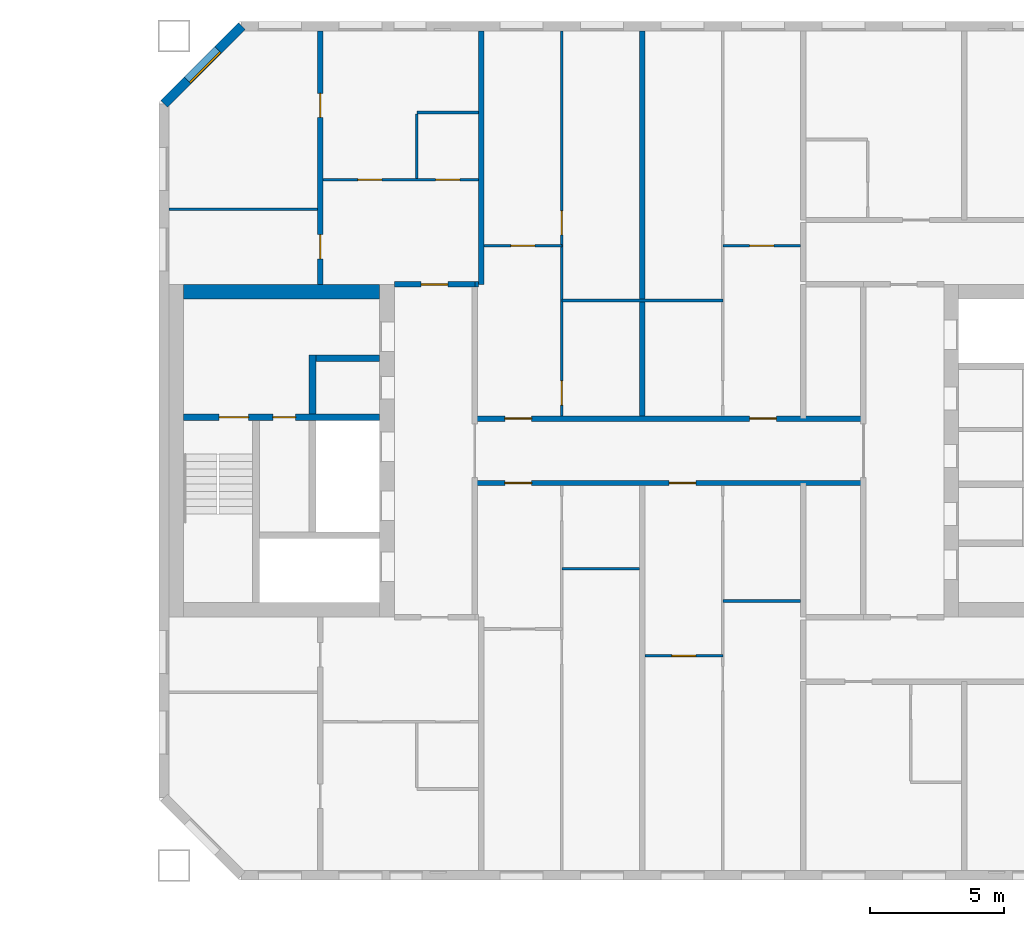
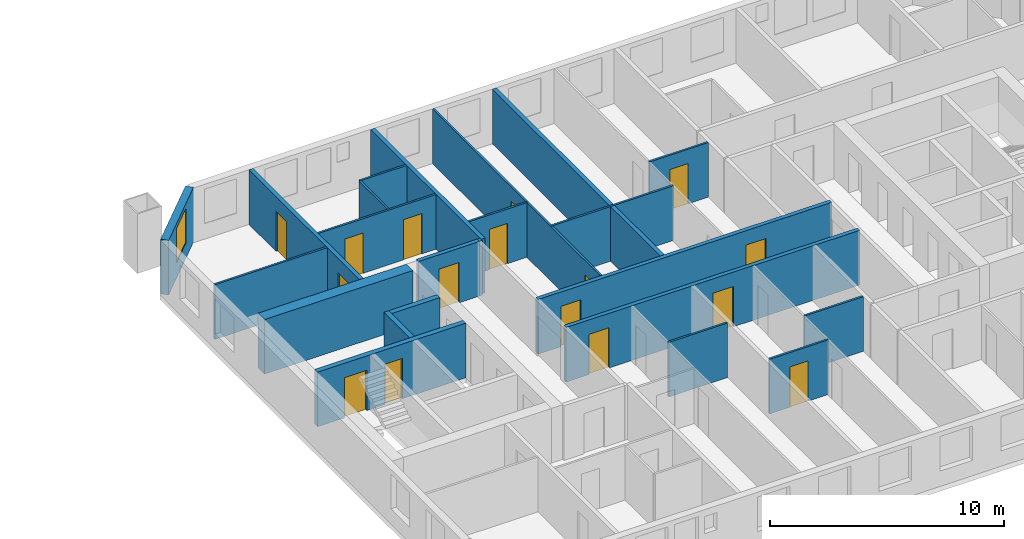
# One storey, part 11 of 16: 23 walls, 16 doors, 1 window, 17 openings.
"""IFC4 building model written with IfcOpenShell, lengths in metres."""

import ifcopenshell
import ifcopenshell.guid

model = None  # the IFC model being written
_history = None  # IfcOwnerHistory: only IFC2X3 demands one
_inside = {}  # id of a spatial element -> (the spatial element, [elements in it])
_under = {}  # id of a project, library or spatial element -> (it, [spatial elements below it])
_declared = {}  # id of a project -> (the project, [libraries it declares])
_typed = {}  # id of a type object -> (the type object, [elements of that type])
_made_of = {}  # id of a material, layer set ... -> (it, [elements and type objects made of it])


def new_model(schema):
    """Start an empty IFC model of exactly this schema.

    Asked for "IFC4X3", IfcOpenShell would pick the latest addendum, in which some entities
    have other attributes; the version numbers below select the first issue.
    IFC2X3 requires an IfcOwnerHistory on every rooted entity: one is made here for all.
    """
    global model, _history
    if schema == "IFC4X3":
        model = ifcopenshell.file(schema_version=(4, 3, 0, 0))
    else:
        model = ifcopenshell.file(schema=schema)
    _inside.clear()
    _under.clear()
    _declared.clear()
    _typed.clear()
    _made_of.clear()
    _history = None
    if model.schema == "IFC2X3":
        org = make("IfcOrganization", Name="unknown")
        user = make(
            "IfcPersonAndOrganization",
            ThePerson=make("IfcPerson", FamilyName="unknown"),
            TheOrganization=org,
        )
        app = make(
            "IfcApplication",
            ApplicationDeveloper=org,
            Version="unknown",
            ApplicationFullName="unknown",
            ApplicationIdentifier="unknown",
        )
        _history = make(
            "IfcOwnerHistory",
            OwningUser=user,
            OwningApplication=app,
            ChangeAction="ADDED",
            CreationDate=0,
        )
    return model


def make(cls, **values):
    """One entity of the class cls with the attributes given. An attribute that is None is left unset."""
    return model.create_entity(
        cls, **{name: value for name, value in values.items() if value is not None}
    )


def rooted(cls, **values):
    """An entity with a GlobalId (a new one), such as an element, a storey or a relation."""
    return make(cls, GlobalId=ifcopenshell.guid.new(), OwnerHistory=_history, **values)


def si_unit(unit_type, name, prefix=None):
    """IfcSIUnit, for example si_unit("LENGTHUNIT", "METRE", prefix="MILLI")."""
    return make("IfcSIUnit", UnitType=unit_type, Prefix=prefix, Name=name)


def assignment(units):
    """IfcUnitAssignment: the units of a project."""
    return None if units is None else make("IfcUnitAssignment", Units=units)


def point(xyz):
    """IfcCartesianPoint."""
    return None if xyz is None else make("IfcCartesianPoint", Coordinates=xyz)


def direction(xyz):
    """IfcDirection."""
    return None if xyz is None else make("IfcDirection", DirectionRatios=xyz)


def frame(location, z_axis=None, x_axis=None):
    """IfcAxis2Placement3D, a coordinate frame: its origin and axes. An axis left out is left unset."""
    return make(
        "IfcAxis2Placement3D",
        Location=point(location),
        Axis=direction(z_axis),
        RefDirection=direction(x_axis),
    )


def frame_2d(location, x_axis=None):
    """IfcAxis2Placement2D, a coordinate frame in the plane: its origin and x axis."""
    return make(
        "IfcAxis2Placement2D", Location=point(location), RefDirection=direction(x_axis)
    )


def origin():
    """The frame at (0, 0, 0) with its axes left unset."""
    return frame((0.0, 0.0, 0.0))


def place(relative_to, where):
    """IfcLocalPlacement: puts the frame where relative to a parent placement (None: the world)."""
    return make(
        "IfcLocalPlacement", PlacementRelTo=relative_to, RelativePlacement=where
    )


def context(
    kind, dimensions, precision=None, world=None, true_north=None, identifier=None
):
    """IfcGeometricRepresentationContext, for example the 3D "Model" context."""
    return make(
        "IfcGeometricRepresentationContext",
        ContextIdentifier=identifier,
        ContextType=kind,
        CoordinateSpaceDimension=dimensions,
        Precision=precision,
        WorldCoordinateSystem=world,
        TrueNorth=true_north,
    )


def subcontext(parent, identifier, kind, view, scale=None):
    """IfcGeometricRepresentationSubContext, for example "Body" below "Model"."""
    return make(
        "IfcGeometricRepresentationSubContext",
        ContextIdentifier=identifier,
        ContextType=kind,
        ParentContext=parent,
        TargetScale=scale,
        TargetView=view,
    )


def project(units=None, contexts=None):
    """IfcProject with its units and contexts."""
    return rooted(
        "IfcProject",
        Name="project",
        RepresentationContexts=contexts,
        UnitsInContext=assignment(units),
    )


def spatial(cls, under=None, at=None, **own):
    """A site, building, storey or space (cls), placed at a placement, below another one or the project."""
    s = rooted(cls, ObjectPlacement=at, **own)
    if under is not None:
        _under.setdefault(under.id(), (under, []))[1].append(s)
    return s


def profile(cls, at=None, kind="AREA", **sizes):
    """A parametric profile (cls). Its sizes go by their IFC names, for example OverallWidth=200.0."""
    return make(cls, ProfileType=kind, Position=at, **sizes)


def rectangle(**sizes):
    """IfcRectangleProfileDef."""
    return profile("IfcRectangleProfileDef", **sizes)


def extrude(swept, where, along, depth):
    """IfcExtrudedAreaSolid: the profile swept, set in the frame where, extruded along a direction by depth."""
    return make(
        "IfcExtrudedAreaSolid",
        SweptArea=swept,
        Position=where,
        ExtrudedDirection=direction(along),
        Depth=depth,
    )


def shape(context_of_items, identifier, shape_type, items):
    """IfcShapeRepresentation: the items that make up one representation, for example the "Body"."""
    return make(
        "IfcShapeRepresentation",
        ContextOfItems=context_of_items,
        RepresentationIdentifier=identifier,
        RepresentationType=shape_type,
        Items=items,
    )


def material(Name=None, Category=None):
    """IfcMaterial."""
    return make("IfcMaterial", Name=Name, Category=Category)


def layer(
    of_material, thickness, ventilated=None, Name=None, Category=None, Priority=None
):
    """IfcMaterialLayer: one layer of a wall or slab, of a material (None: an air gap)."""
    return make(
        "IfcMaterialLayer",
        Material=of_material,
        LayerThickness=thickness,
        IsVentilated=ventilated,
        Name=Name,
        Category=Category,
        Priority=Priority,
    )


def layer_set(layers, Name=None):
    """IfcMaterialLayerSet."""
    return make("IfcMaterialLayerSet", MaterialLayers=layers, LayerSetName=Name)


def made_of(thing, what):
    """Note that an element or type object is made of a material, layer set ...; save() writes the relation."""
    if what is not None:
        _made_of.setdefault(what.id(), (what, []))[1].append(thing)
    return thing


def type_object(cls, material=None, **own):
    """A type object (cls), such as IfcWallType, which elements share."""
    return made_of(rooted(cls, **own), material)


def element(
    cls,
    number,
    at=None,
    inside=None,
    cuts=None,
    type_object=None,
    material=None,
    context=None,
    identifier="Body",
    shape_type=None,
    held_by="IfcProductDefinitionShape",
    body=None,
    shapes=None,
    **own,
):
    """One element of the class cls, such as IfcWall. Its Tag is "e" and its number.

    at: its placement. inside: the storey or other place that contains it. cuts: it is an
    opening in that element (IfcRelVoidsElement). A single representation is given by context,
    identifier, shape_type and body (its items); several are given by shapes. held_by: the class
    of the entity that holds the representations. save() writes the other relations.
    """
    e = rooted(cls, Tag="e%d" % number, ObjectPlacement=at, **own)
    if body is not None:
        shapes = [shape(context, identifier, shape_type, body)]
    if shapes is not None:
        e.Representation = make(held_by, Representations=shapes)
    if inside is not None:
        _inside.setdefault(inside.id(), (inside, []))[1].append(e)
    if cuts is not None:
        rooted(
            "IfcRelVoidsElement", RelatingBuildingElement=cuts, RelatedOpeningElement=e
        )
    if type_object is not None:
        _typed.setdefault(type_object.id(), (type_object, []))[1].append(e)
    return made_of(e, material)


def fill(opening, filler):
    """IfcRelFillsElement: the door or window that sits in an opening."""
    return rooted(
        "IfcRelFillsElement",
        RelatingOpeningElement=opening,
        RelatedBuildingElement=filler,
    )


def aggregate(whole, parts):
    """IfcRelAggregates: a whole, such as a stair, and the parts it consists of."""
    return rooted("IfcRelAggregates", RelatingObject=whole, RelatedObjects=parts)


def save(model, path):
    """Write the relations noted so far, then the file.

    IfcRelAggregates (storeys below a building ...), IfcRelContainedInSpatialStructure (elements
    in a storey), IfcRelDefinesByType, IfcRelAssociatesMaterial and IfcRelDeclares: one each for
    every whole, place, type object, material and project.
    """
    for whole, parts in _under.values():
        aggregate(whole, parts)
    for where, things in _inside.values():
        rooted(
            "IfcRelContainedInSpatialStructure",
            RelatedElements=things,
            RelatingStructure=where,
        )
    for kind, things in _typed.values():
        rooted("IfcRelDefinesByType", RelatedObjects=things, RelatingType=kind)
    for what, things in _made_of.values():
        rooted("IfcRelAssociatesMaterial", RelatedObjects=things, RelatingMaterial=what)
    for by, libraries in _declared.values():
        rooted("IfcRelDeclares", RelatingContext=by, RelatedDefinitions=libraries)
    model.write(path)


model = new_model("IFC4")

# Units and contexts
model_context = context("Model", 3, precision=1e-05, world=origin(), true_north=direction((0.0, 1.0)))
body_context = subcontext(model_context, "Body", "Model", "MODEL_VIEW")
ifc_project = project(units=[si_unit("LENGTHUNIT", "METRE"), si_unit("AREAUNIT", "SQUARE_METRE"), si_unit("VOLUMEUNIT", "CUBIC_METRE"), si_unit("PLANEANGLEUNIT", "RADIAN"), si_unit("MASSUNIT", "GRAM", prefix="KILO")], contexts=[model_context])

# Site, building, storey
site_placement = place(None, origin())
site = spatial("IfcSite", under=ifc_project, at=site_placement, CompositionType="ELEMENT")
building_placement = place(site_placement, origin())
building = spatial("IfcBuilding", under=site, at=building_placement, Name="Tuart Gate Housing", CompositionType="ELEMENT")
storey_placement = place(building_placement, frame((0.0, 0.0, 129.89990234375)))
storey = spatial("IfcBuildingStorey", under=building, at=storey_placement, Name="L36", CompositionType="ELEMENT", Elevation=129.89990234375)

# Wall, opening, window
ifc_material_1 = material(Name="Brick", Category="masonry")
ifc_layer_1 = layer(ifc_material_1, 0.360107421875)
ifc_layer_set_1 = layer_set([ifc_layer_1], Name="Brick pier and spandrel wall 360")
wall_type_1 = type_object("IfcWallType", Name="Brick pier and spandrel wall 360", PredefinedType="STANDARD", material=ifc_layer_set_1)
wall_1_placement = place(storey_placement, frame((134.07470703125, 85.820068359375, 0.0), z_axis=(0.0, 0.0, 1.0), x_axis=(-0.707106781187, -0.707106781187, 0.0)))
wall_1 = element("IfcWall", 1, at=wall_1_placement, inside=storey, type_object=wall_type_1, Name="External wall B-NW L36", PredefinedType="STANDARD", context=body_context, shape_type="SweptSolid", body=[
    extrude(rectangle(XDim=4.09375, YDim=0.360107421875, at=frame_2d((2.046875, 0.0))), origin(), (0.0, 0.0, 1.0), 2.85009765625),
])
opening_1_placement = place(wall_1_placement, frame((1.2470703125, 0.0, 0.800048828125)))
opening_1 = element("IfcOpeningElement", 2, at=opening_1_placement, cuts=wall_1, Name="Opening W1", PredefinedType="OPENING", context=body_context, shape_type="SweptSolid", body=[
    extrude(rectangle(XDim=1.60009765625, YDim=1.800048828125, at=frame_2d((0.800048828125, 0.89990234375))), frame((0.0, 0.18994140625, 0.0), z_axis=(0.0, -1.0, 0.0), x_axis=(1.0, 0.0, 0.0)), (0.0, 0.0, 1.0), 0.380126953125),
])
ifc_material_2 = material(Name="Aluminium frame with clear glass", Category="aluminium")
window_type = type_object("IfcWindowType", Name="Punched window 1600 x 1800", PartitioningType="SINGLE_PANEL", PredefinedType="WINDOW", material=ifc_material_2)
window_placement = place(opening_1_placement, origin())
window = element("IfcWindow", 3, at=window_placement, inside=storey, type_object=window_type, Name="Window W1", OverallHeight=1.800048828125, OverallWidth=1.60009765625, PartitioningType="SINGLE_PANEL", PredefinedType="WINDOW", context=body_context, shape_type="SweptSolid", body=[
    extrude(rectangle(XDim=1.60009765625, YDim=1.800048828125, at=frame_2d((0.800048828125, 0.89990234375))), frame((0.0, 0.150146484375, 0.0), z_axis=(0.0, -1.0, 0.0), x_axis=(1.0, 0.0, 0.0)), (0.0, 0.0, 1.0), 0.06005859375),
])
fill(opening_1, window)

# Wall, openings, doors
ifc_material_3 = material(Name="Concrete C50", Category="concrete")
ifc_layer_2 = layer(ifc_material_3, 0.25)
ifc_layer_set_2 = layer_set([ifc_layer_2], Name="Core wall 250 C50")
wall_type_2 = type_object("IfcWallType", Name="Core wall 250 C50", PredefinedType="SHEAR", material=ifc_layer_set_2)
wall_2_placement = place(storey_placement, frame((139.2099609375, 71.25, 0.0), z_axis=(0.0, 0.0, 1.0), x_axis=(-1.0, 0.0, 0.0)))
wall_2 = element("IfcWall", 4, at=wall_2_placement, inside=storey, type_object=wall_type_2, Name="Core wall BG.2", PredefinedType="SHEAR", context=body_context, shape_type="SweptSolid", body=[
    extrude(rectangle(XDim=7.300048828125, YDim=0.25, at=frame_2d((3.64990234375, 0.0))), origin(), (0.0, 0.0, 1.0), 2.85009765625),
])
opening_2_placement = place(wall_2_placement, frame((4.875, 0.0, 0.0)))
opening_2 = element("IfcOpeningElement", 5, at=opening_2_placement, cuts=wall_2, Name="Opening D1369", PredefinedType="OPENING", context=body_context, shape_type="SweptSolid", body=[
    extrude(rectangle(XDim=1.10009765625, YDim=2.10009765625, at=frame_2d((0.550048828125, 1.050048828125))), frame((0.0, 0.135009765625, 0.0), z_axis=(0.0, -1.0, 0.0), x_axis=(1.0, 0.0, 0.0)), (0.0, 0.0, 1.0), 0.27001953125),
])
opening_3_placement = place(wall_2_placement, frame((3.125, 0.0, 0.0)))
opening_3 = element("IfcOpeningElement", 6, at=opening_3_placement, cuts=wall_2, Name="Opening D1368", PredefinedType="OPENING", context=body_context, shape_type="SweptSolid", body=[
    extrude(rectangle(XDim=0.85009765625, YDim=2.10009765625, at=frame_2d((0.425048828125, 1.050048828125))), frame((0.0, 0.135009765625, 0.0), z_axis=(0.0, -1.0, 0.0), x_axis=(1.0, 0.0, 0.0)), (0.0, 0.0, 1.0), 0.27001953125),
])
ifc_material_4 = material(Name="Steel fire door", Category="steel")
door_type_1 = type_object("IfcDoorType", Name="Riser door 850 x 2100", OperationType="SINGLE_SWING_LEFT", PredefinedType="DOOR", material=ifc_material_4)
door_1_placement = place(opening_3_placement, origin())
door_1 = element("IfcDoor", 7, at=door_1_placement, inside=storey, type_object=door_type_1, Name="Service room door BG.W1", OperationType="SINGLE_SWING_LEFT", OverallHeight=2.10009765625, OverallWidth=0.85009765625, PredefinedType="DOOR", context=body_context, shape_type="SweptSolid", body=[
    extrude(rectangle(XDim=0.85009765625, YDim=2.10009765625, at=frame_2d((0.425048828125, 1.050048828125))), frame((0.0, 0.02490234375, 0.0), z_axis=(0.0, -1.0, 0.0), x_axis=(1.0, 0.0, 0.0)), (0.0, 0.0, 1.0), 0.050048828125),
])
fill(opening_3, door_1)
ifc_material_5 = material(Name="Steel fire door", Category="steel")
door_type_2 = type_object("IfcDoorType", Name="Stair door 1100 x 2100", OperationType="SINGLE_SWING_LEFT", PredefinedType="DOOR", material=ifc_material_5)
door_2_placement = place(opening_2_placement, origin())
door_2 = element("IfcDoor", 8, at=door_2_placement, inside=storey, type_object=door_type_2, Name="Stair door BG.SD", OperationType="SINGLE_SWING_LEFT", OverallHeight=2.10009765625, OverallWidth=1.10009765625, PredefinedType="DOOR", context=body_context, shape_type="SweptSolid", body=[
    extrude(rectangle(XDim=1.10009765625, YDim=2.10009765625, at=frame_2d((0.550048828125, 1.050048828125))), frame((0.0, 0.02490234375, 0.0), z_axis=(0.0, -1.0, 0.0), x_axis=(1.0, 0.0, 0.0)), (0.0, 0.0, 1.0), 0.050048828125),
])
fill(opening_2, door_2)

# Walls
wall_3_placement = place(storey_placement, frame((139.2099609375, 73.449951171875, 0.0), z_axis=(0.0, 0.0, 1.0), x_axis=(-1.0, 0.0, 0.0)))
element("IfcWall", 9, at=wall_3_placement, inside=storey, type_object=wall_type_2, Name="Core wall BG.3", PredefinedType="SHEAR", context=body_context, shape_type="SweptSolid", body=[
    extrude(rectangle(XDim=2.375, YDim=0.25, at=frame_2d((1.1875, 0.0))), origin(), (0.0, 0.0, 1.0), 2.85009765625),
])
wall_4_placement = place(storey_placement, frame((136.7099609375, 71.375, 0.0), z_axis=(0.0, 0.0, 1.0), x_axis=(0.0, 1.0, 0.0)))
element("IfcWall", 10, at=wall_4_placement, inside=storey, type_object=wall_type_2, Name="Core wall BG.5", PredefinedType="SHEAR", context=body_context, shape_type="SweptSolid", body=[
    extrude(rectangle(XDim=2.199951171875, YDim=0.25, at=frame_2d((1.10009765625, 0.0))), origin(), (0.0, 0.0, 1.0), 2.85009765625),
])
ifc_material_6 = material(Name="Concrete C50", Category="concrete")
ifc_layer_3 = layer(ifc_material_6, 0.550048828125)
ifc_layer_set_3 = layer_set([ifc_layer_3], Name="Core wall 550 C50")
wall_type_3 = type_object("IfcWallType", Name="Core wall 550 C50", PredefinedType="SHEAR", material=ifc_layer_set_3)
wall_5_placement = place(storey_placement, frame((139.2099609375, 75.925048828125, 0.0), z_axis=(0.0, 0.0, 1.0), x_axis=(-1.0, 0.0, 0.0)))
element("IfcWall", 11, at=wall_5_placement, inside=storey, type_object=wall_type_3, Name="Core wall BG north", PredefinedType="SHEAR", context=body_context, shape_type="SweptSolid", body=[
    extrude(rectangle(XDim=7.300048828125, YDim=0.550048828125, at=frame_2d((3.64990234375, 0.0))), origin(), (0.0, 0.0, 1.0), 2.85009765625),
])

# Wall, openings, doors
ifc_material_7 = material(Name="Concrete masonry 15 MPa", Category="masonry")
ifc_layer_4 = layer(ifc_material_7, 0.199951171875)
ifc_layer_set_4 = layer_set([ifc_layer_4], Name="Corridor wall masonry 200")
wall_type_4 = type_object("IfcWallType", Name="Corridor wall masonry 200", PredefinedType="PARTITIONING", material=ifc_layer_set_4)
wall_6_placement = place(storey_placement, frame((142.760009765625, 68.800048828125, 0.0), z_axis=(0.0, 0.0, 1.0), x_axis=(1.0, 0.0, 0.0)))
wall_6 = element("IfcWall", 12, at=wall_6_placement, inside=storey, type_object=wall_type_4, Name="Corridor wall masonry 200", PredefinedType="PARTITIONING", context=body_context, shape_type="SweptSolid", body=[
    extrude(rectangle(XDim=14.47998046875, YDim=0.199951171875, at=frame_2d((7.239990234375, 0.0))), origin(), (0.0, 0.0, 1.0), 2.85009765625),
])
opening_4_placement = place(wall_6_placement, frame((1.1201171875, 0.0, 0.0)))
opening_4 = element("IfcOpeningElement", 13, at=opening_4_placement, cuts=wall_6, Name="Opening D1380", PredefinedType="OPENING", context=body_context, shape_type="SweptSolid", body=[
    extrude(rectangle(XDim=1.0, YDim=2.10009765625, at=frame_2d((0.5, 1.050048828125))), frame((0.0, 0.10986328125, 0.0), z_axis=(0.0, -1.0, 0.0), x_axis=(1.0, 0.0, 0.0)), (0.0, 0.0, 1.0), 0.219970703125),
])
opening_5_placement = place(wall_6_placement, frame((7.239990234375, 0.0, 0.0)))
opening_5 = element("IfcOpeningElement", 14, at=opening_5_placement, cuts=wall_6, Name="Opening D1381", PredefinedType="OPENING", context=body_context, shape_type="SweptSolid", body=[
    extrude(rectangle(XDim=1.0, YDim=2.10009765625, at=frame_2d((0.5, 1.050048828125))), frame((0.0, 0.10986328125, 0.0), z_axis=(0.0, -1.0, 0.0), x_axis=(1.0, 0.0, 0.0)), (0.0, 0.0, 1.0), 0.219970703125),
])
ifc_material_8 = material(Name="Timber door leaf in steel frame", Category="steel")
door_type_3 = type_object("IfcDoorType", Name="Flat entrance door 1000 RH", OperationType="SINGLE_SWING_RIGHT", PredefinedType="DOOR", material=ifc_material_8)
door_3_placement = place(opening_4_placement, frame((1.0, 0.0, 0.0), z_axis=(0.0, 0.0, 1.0), x_axis=(-1.0, 0.0, 0.0)))
door_3 = element("IfcDoor", 15, at=door_3_placement, inside=storey, type_object=door_type_3, Name="Flat entrance door", OperationType="SINGLE_SWING_RIGHT", OverallHeight=2.10009765625, OverallWidth=1.0, PredefinedType="DOOR", context=body_context, shape_type="SweptSolid", body=[
    extrude(rectangle(XDim=1.0, YDim=2.10009765625, at=frame_2d((0.5, 1.050048828125))), frame((0.0, 0.025146484375, 0.0), z_axis=(0.0, -1.0, 0.0), x_axis=(1.0, 0.0, 0.0)), (0.0, 0.0, 1.0), 0.050048828125),
])
fill(opening_4, door_3)
door_4_placement = place(opening_5_placement, frame((1.0, 0.0, 0.0), z_axis=(0.0, 0.0, 1.0), x_axis=(-1.0, 0.0, 0.0)))
door_4 = element("IfcDoor", 16, at=door_4_placement, inside=storey, type_object=door_type_3, Name="Flat entrance door", OperationType="SINGLE_SWING_RIGHT", OverallHeight=2.10009765625, OverallWidth=1.0, PredefinedType="DOOR", context=body_context, shape_type="SweptSolid", body=[
    extrude(rectangle(XDim=1.0, YDim=2.10009765625, at=frame_2d((0.5, 1.050048828125))), frame((0.0, 0.025146484375, 0.0), z_axis=(0.0, -1.0, 0.0), x_axis=(1.0, 0.0, 0.0)), (0.0, 0.0, 1.0), 0.050048828125),
])
fill(opening_5, door_4)

wall_7_placement = place(storey_placement, frame((142.760009765625, 71.199951171875, 0.0), z_axis=(0.0, 0.0, 1.0), x_axis=(1.0, 0.0, 0.0)))
wall_7 = element("IfcWall", 17, at=wall_7_placement, inside=storey, type_object=wall_type_4, Name="Corridor wall masonry 200", PredefinedType="PARTITIONING", context=body_context, shape_type="SweptSolid", body=[
    extrude(rectangle(XDim=14.47998046875, YDim=0.199951171875, at=frame_2d((7.239990234375, 0.0))), origin(), (0.0, 0.0, 1.0), 2.85009765625),
])
opening_6_placement = place(wall_7_placement, frame((1.1201171875, 0.0, 0.0)))
opening_6 = element("IfcOpeningElement", 18, at=opening_6_placement, cuts=wall_7, Name="Opening D1370", PredefinedType="OPENING", context=body_context, shape_type="SweptSolid", body=[
    extrude(rectangle(XDim=1.0, YDim=2.10009765625, at=frame_2d((0.5, 1.050048828125))), frame((0.0, 0.10986328125, 0.0), z_axis=(0.0, -1.0, 0.0), x_axis=(1.0, 0.0, 0.0)), (0.0, 0.0, 1.0), 0.219970703125),
])
opening_7_placement = place(wall_7_placement, frame((10.239990234375, 0.0, 0.0)))
opening_7 = element("IfcOpeningElement", 19, at=opening_7_placement, cuts=wall_7, Name="Opening D1371", PredefinedType="OPENING", context=body_context, shape_type="SweptSolid", body=[
    extrude(rectangle(XDim=1.0, YDim=2.10009765625, at=frame_2d((0.5, 1.050048828125))), frame((0.0, 0.10986328125, 0.0), z_axis=(0.0, -1.0, 0.0), x_axis=(1.0, 0.0, 0.0)), (0.0, 0.0, 1.0), 0.219970703125),
])
ifc_material_9 = material(Name="Timber door leaf in steel frame", Category="steel")
door_type_4 = type_object("IfcDoorType", Name="Flat entrance door 1000", OperationType="SINGLE_SWING_LEFT", PredefinedType="DOOR", material=ifc_material_9)
door_5_placement = place(opening_6_placement, origin())
door_5 = element("IfcDoor", 20, at=door_5_placement, inside=storey, type_object=door_type_4, Name="Flat entrance door", OperationType="SINGLE_SWING_LEFT", OverallHeight=2.10009765625, OverallWidth=1.0, PredefinedType="DOOR", context=body_context, shape_type="SweptSolid", body=[
    extrude(rectangle(XDim=1.0, YDim=2.10009765625, at=frame_2d((0.5, 1.050048828125))), frame((0.0, 0.02490234375, 0.0), z_axis=(0.0, -1.0, 0.0), x_axis=(1.0, 0.0, 0.0)), (0.0, 0.0, 1.0), 0.050048828125),
])
fill(opening_6, door_5)
door_6_placement = place(opening_7_placement, origin())
door_6 = element("IfcDoor", 21, at=door_6_placement, inside=storey, type_object=door_type_4, Name="Flat entrance door", OperationType="SINGLE_SWING_LEFT", OverallHeight=2.10009765625, OverallWidth=1.0, PredefinedType="DOOR", context=body_context, shape_type="SweptSolid", body=[
    extrude(rectangle(XDim=1.0, YDim=2.10009765625, at=frame_2d((0.5, 1.050048828125))), frame((0.0, 0.02490234375, 0.0), z_axis=(0.0, -1.0, 0.0), x_axis=(1.0, 0.0, 0.0)), (0.0, 0.0, 1.0), 0.050048828125),
])
fill(opening_7, door_6)

# Wall, opening, door
ifc_material_10 = material(Name="Concrete masonry 15 MPa", Category="masonry")
ifc_layer_5 = layer(ifc_material_10, 0.199951171875)
ifc_layer_set_5 = layer_set([ifc_layer_5], Name="Enclosure wall masonry 200")
wall_type_5 = type_object("IfcWallType", Name="Enclosure wall masonry 200", PredefinedType="PARTITIONING", material=ifc_layer_set_5)
wall_8_placement = place(storey_placement, frame((139.760009765625, 76.199951171875, 0.0), z_axis=(0.0, 0.0, 1.0), x_axis=(1.0, 0.0, 0.0)))
wall_8 = element("IfcWall", 22, at=wall_8_placement, inside=storey, type_object=wall_type_5, Name="Enclosure wall masonry 200", PredefinedType="PARTITIONING", context=body_context, shape_type="SweptSolid", body=[
    extrude(rectangle(XDim=3.0, YDim=0.199951171875, at=frame_2d((1.5, 0.0))), origin(), (0.0, 0.0, 1.0), 2.85009765625),
])
opening_8_placement = place(wall_8_placement, frame((1.0, 0.0, 0.0)))
opening_8 = element("IfcOpeningElement", 23, at=opening_8_placement, cuts=wall_8, Name="Opening D1366", PredefinedType="OPENING", context=body_context, shape_type="SweptSolid", body=[
    extrude(rectangle(XDim=1.0, YDim=2.10009765625, at=frame_2d((0.5, 1.050048828125))), frame((0.0, 0.10986328125, 0.0), z_axis=(0.0, -1.0, 0.0), x_axis=(1.0, 0.0, 0.0)), (0.0, 0.0, 1.0), 0.219970703125),
])
door_7_placement = place(opening_8_placement, origin())
door_7 = element("IfcDoor", 24, at=door_7_placement, inside=storey, type_object=door_type_3, Name="Flat entrance door", OperationType="SINGLE_SWING_RIGHT", OverallHeight=2.10009765625, OverallWidth=1.0, PredefinedType="DOOR", context=body_context, shape_type="SweptSolid", body=[
    extrude(rectangle(XDim=1.0, YDim=2.10009765625, at=frame_2d((0.5, 1.050048828125))), frame((0.0, 0.02490234375, 0.0), z_axis=(0.0, -1.0, 0.0), x_axis=(1.0, 0.0, 0.0)), (0.0, 0.0, 1.0), 0.050048828125),
])
fill(opening_8, door_7)

ifc_material_11 = material(Name="Gypsum board on steel studs", Category="steel")
ifc_layer_6 = layer(ifc_material_11, 0.10009765625)
ifc_layer_set_6 = layer_set([ifc_layer_6], Name="Partition 100")
wall_type_6 = type_object("IfcWallType", Name="Partition 100", PredefinedType="PARTITIONING", material=ifc_layer_set_6)
wall_9_placement = place(storey_placement, frame((149.10009765625, 62.360107421875, 0.0), z_axis=(0.0, 0.0, 1.0), x_axis=(1.0, 0.0, 0.0)))
wall_9 = element("IfcWall", 25, at=wall_9_placement, inside=storey, type_object=wall_type_6, Name="Partition 100", PredefinedType="PARTITIONING", context=body_context, shape_type="SweptSolid", body=[
    extrude(rectangle(XDim=2.89990234375, YDim=0.10009765625, at=frame_2d((1.449951171875, 0.0))), origin(), (0.0, 0.0, 1.0), 2.85009765625),
])
opening_9_placement = place(wall_9_placement, frame((1.0, 0.0, 0.0)))
opening_9 = element("IfcOpeningElement", 26, at=opening_9_placement, cuts=wall_9, Name="Opening D1388", PredefinedType="OPENING", context=body_context, shape_type="SweptSolid", body=[
    extrude(rectangle(XDim=0.89990234375, YDim=2.10009765625, at=frame_2d((0.449951171875, 1.050048828125))), frame((0.0, 0.06005859375, 0.0), z_axis=(0.0, -1.0, 0.0), x_axis=(1.0, 0.0, 0.0)), (0.0, 0.0, 1.0), 0.1201171875),
])
ifc_material_12 = material(Name="Timber door leaf in steel frame", Category="steel")
door_type_5 = type_object("IfcDoorType", Name="Internal door 900 RH", OperationType="SINGLE_SWING_RIGHT", PredefinedType="DOOR", material=ifc_material_12)
door_8_placement = place(opening_9_placement, origin())
door_8 = element("IfcDoor", 27, at=door_8_placement, inside=storey, type_object=door_type_5, Name="Internal door", OperationType="SINGLE_SWING_RIGHT", OverallHeight=2.10009765625, OverallWidth=0.89990234375, PredefinedType="DOOR", context=body_context, shape_type="SweptSolid", body=[
    extrude(rectangle(XDim=0.89990234375, YDim=2.10009765625, at=frame_2d((0.449951171875, 1.050048828125))), frame((0.0, 0.02490234375, 0.0), z_axis=(0.0, -1.0, 0.0), x_axis=(1.0, 0.0, 0.0)), (0.0, 0.0, 1.0), 0.050048828125),
])
fill(opening_9, door_8)

# Walls
for number, where, z_axis, x_axis, name in (
    (28, (152.0, 64.39990234375, 0.0), (0.0, 0.0, 1.0), (1.0, 0.0, 0.0), "Partition 100"),
    (29, (146.0, 65.60009765625, 0.0), (0.0, 0.0, 1.0), (1.0, 0.0, 0.0), "Partition 100"),
):
    element("IfcWall", number, at=place(storey_placement, frame(where, z_axis=z_axis, x_axis=x_axis)), inside=storey, type_object=wall_type_6, Name=name, PredefinedType="PARTITIONING", context=body_context, shape_type="SweptSolid", body=[
        extrude(rectangle(XDim=2.89990234375, YDim=0.10009765625, at=frame_2d((1.449951171875, 0.0))), origin(), (0.0, 0.0, 1.0), 2.85009765625),
    ])
wall_10_placement = place(storey_placement, frame((146.0, 75.60009765625, 0.0), z_axis=(0.0, 0.0, 1.0), x_axis=(1.0, 0.0, 0.0)))
element("IfcWall", 30, at=wall_10_placement, inside=storey, type_object=wall_type_6, Name="Partition 100", PredefinedType="PARTITIONING", context=body_context, shape_type="SweptSolid", body=[
    extrude(rectangle(XDim=6.0, YDim=0.10009765625, at=frame_2d((3.0, 0.0))), origin(), (0.0, 0.0, 1.0), 2.85009765625),
])

# Wall, opening, door
wall_11_placement = place(storey_placement, frame((143.10009765625, 77.639892578125, 0.0), z_axis=(0.0, 0.0, 1.0), x_axis=(1.0, 0.0, 0.0)))
wall_11 = element("IfcWall", 31, at=wall_11_placement, inside=storey, type_object=wall_type_6, Name="Partition 100", PredefinedType="PARTITIONING", context=body_context, shape_type="SweptSolid", body=[
    extrude(rectangle(XDim=2.89990234375, YDim=0.10009765625, at=frame_2d((1.449951171875, 0.0))), origin(), (0.0, 0.0, 1.0), 2.85009765625),
])
opening_10_placement = place(wall_11_placement, frame((1.0, 0.0, 0.0)))
opening_10 = element("IfcOpeningElement", 32, at=opening_10_placement, cuts=wall_11, Name="Opening D1364", PredefinedType="OPENING", context=body_context, shape_type="SweptSolid", body=[
    extrude(rectangle(XDim=0.89990234375, YDim=2.10009765625, at=frame_2d((0.449951171875, 1.050048828125))), frame((0.0, 0.06005859375, 0.0), z_axis=(0.0, -1.0, 0.0), x_axis=(1.0, 0.0, 0.0)), (0.0, 0.0, 1.0), 0.1201171875),
])
ifc_material_13 = material(Name="Timber door leaf in steel frame", Category="steel")
door_type_6 = type_object("IfcDoorType", Name="Internal door 900", OperationType="SINGLE_SWING_LEFT", PredefinedType="DOOR", material=ifc_material_13)
door_9_placement = place(opening_10_placement, frame((0.89990234375, 0.0, 0.0), z_axis=(0.0, 0.0, 1.0), x_axis=(-1.0, 0.0, 0.0)))
door_9 = element("IfcDoor", 33, at=door_9_placement, inside=storey, type_object=door_type_6, Name="Internal door", OperationType="SINGLE_SWING_LEFT", OverallHeight=2.10009765625, OverallWidth=0.89990234375, PredefinedType="DOOR", context=body_context, shape_type="SweptSolid", body=[
    extrude(rectangle(XDim=0.89990234375, YDim=2.10009765625, at=frame_2d((0.449951171875, 1.050048828125))), frame((0.0, 0.025146484375, 0.0), z_axis=(0.0, -1.0, 0.0), x_axis=(1.0, 0.0, 0.0)), (0.0, 0.0, 1.0), 0.050048828125),
])
fill(opening_10, door_9)

wall_12_placement = place(storey_placement, frame((152.0, 77.639892578125, 0.0), z_axis=(0.0, 0.0, 1.0), x_axis=(1.0, 0.0, 0.0)))
wall_12 = element("IfcWall", 34, at=wall_12_placement, inside=storey, type_object=wall_type_6, Name="Partition 100", PredefinedType="PARTITIONING", context=body_context, shape_type="SweptSolid", body=[
    extrude(rectangle(XDim=2.89990234375, YDim=0.10009765625, at=frame_2d((1.449951171875, 0.0))), origin(), (0.0, 0.0, 1.0), 2.85009765625),
])
opening_11_placement = place(wall_12_placement, frame((1.0, 0.0, 0.0)))
opening_11 = element("IfcOpeningElement", 35, at=opening_11_placement, cuts=wall_12, Name="Opening D1365", PredefinedType="OPENING", context=body_context, shape_type="SweptSolid", body=[
    extrude(rectangle(XDim=0.89990234375, YDim=2.10009765625, at=frame_2d((0.449951171875, 1.050048828125))), frame((0.0, 0.06005859375, 0.0), z_axis=(0.0, -1.0, 0.0), x_axis=(1.0, 0.0, 0.0)), (0.0, 0.0, 1.0), 0.1201171875),
])
door_10_placement = place(opening_11_placement, frame((0.89990234375, 0.0, 0.0), z_axis=(0.0, 0.0, 1.0), x_axis=(-1.0, 0.0, 0.0)))
door_10 = element("IfcDoor", 36, at=door_10_placement, inside=storey, type_object=door_type_5, Name="Internal door", OperationType="SINGLE_SWING_RIGHT", OverallHeight=2.10009765625, OverallWidth=0.89990234375, PredefinedType="DOOR", context=body_context, shape_type="SweptSolid", body=[
    extrude(rectangle(XDim=0.89990234375, YDim=2.10009765625, at=frame_2d((0.449951171875, 1.050048828125))), frame((0.0, 0.025146484375, 0.0), z_axis=(0.0, -1.0, 0.0), x_axis=(1.0, 0.0, 0.0)), (0.0, 0.0, 1.0), 0.050048828125),
])
fill(opening_11, door_10)

# Wall
wall_13_placement = place(storey_placement, frame((131.360107421875, 79.0, 0.0), z_axis=(0.0, 0.0, 1.0), x_axis=(1.0, 0.0, 0.0)))
element("IfcWall", 37, at=wall_13_placement, inside=storey, type_object=wall_type_6, Name="Partition 100", PredefinedType="PARTITIONING", context=body_context, shape_type="SweptSolid", body=[
    extrude(rectangle(XDim=5.539794921875, YDim=0.10009765625, at=frame_2d((2.77001953125, 0.0))), origin(), (0.0, 0.0, 1.0), 2.85009765625),
])

# Wall, openings, doors
wall_14_placement = place(storey_placement, frame((137.10009765625, 80.10009765625, 0.0), z_axis=(0.0, 0.0, 1.0), x_axis=(1.0, 0.0, 0.0)))
wall_14 = element("IfcWall", 38, at=wall_14_placement, inside=storey, type_object=wall_type_6, Name="Partition 100", PredefinedType="PARTITIONING", context=body_context, shape_type="SweptSolid", body=[
    extrude(rectangle(XDim=5.7998046875, YDim=0.10009765625, at=frame_2d((2.89990234375, 0.0))), origin(), (0.0, 0.0, 1.0), 2.85009765625),
])
opening_12_placement = place(wall_14_placement, frame((1.300048828125, 0.0, 0.0)))
opening_12 = element("IfcOpeningElement", 39, at=opening_12_placement, cuts=wall_14, Name="Opening D1357", PredefinedType="OPENING", context=body_context, shape_type="SweptSolid", body=[
    extrude(rectangle(XDim=0.89990234375, YDim=2.10009765625, at=frame_2d((0.449951171875, 1.050048828125))), frame((0.0, 0.06005859375, 0.0), z_axis=(0.0, -1.0, 0.0), x_axis=(1.0, 0.0, 0.0)), (0.0, 0.0, 1.0), 0.1201171875),
])
opening_13_placement = place(wall_14_placement, frame((4.199951171875, 0.0, 0.0)))
opening_13 = element("IfcOpeningElement", 40, at=opening_13_placement, cuts=wall_14, Name="Opening D1356", PredefinedType="OPENING", context=body_context, shape_type="SweptSolid", body=[
    extrude(rectangle(XDim=0.89990234375, YDim=2.10009765625, at=frame_2d((0.449951171875, 1.050048828125))), frame((0.0, 0.06005859375, 0.0), z_axis=(0.0, -1.0, 0.0), x_axis=(1.0, 0.0, 0.0)), (0.0, 0.0, 1.0), 0.1201171875),
])
ifc_material_14 = material(Name="Timber door leaf in steel frame", Category="steel")
door_type_7 = type_object("IfcDoorType", Name="Bathroom door 900", OperationType="SINGLE_SWING_LEFT", PredefinedType="DOOR", material=ifc_material_14)
door_11_placement = place(opening_13_placement, origin())
door_11 = element("IfcDoor", 41, at=door_11_placement, inside=storey, type_object=door_type_7, Name="Bathroom door", OperationType="SINGLE_SWING_LEFT", OverallHeight=2.10009765625, OverallWidth=0.89990234375, PredefinedType="DOOR", context=body_context, shape_type="SweptSolid", body=[
    extrude(rectangle(XDim=0.89990234375, YDim=2.10009765625, at=frame_2d((0.449951171875, 1.050048828125))), frame((0.0, 0.02490234375, 0.0), z_axis=(0.0, -1.0, 0.0), x_axis=(1.0, 0.0, 0.0)), (0.0, 0.0, 1.0), 0.050048828125),
])
fill(opening_13, door_11)
door_12_placement = place(opening_12_placement, frame((0.89990234375, 0.0, 0.0), z_axis=(0.0, 0.0, 1.0), x_axis=(-1.0, 0.0, 0.0)))
door_12 = element("IfcDoor", 42, at=door_12_placement, inside=storey, type_object=door_type_5, Name="Internal door", OperationType="SINGLE_SWING_RIGHT", OverallHeight=2.10009765625, OverallWidth=0.89990234375, PredefinedType="DOOR", context=body_context, shape_type="SweptSolid", body=[
    extrude(rectangle(XDim=0.89990234375, YDim=2.10009765625, at=frame_2d((0.449951171875, 1.050048828125))), frame((0.0, 0.025146484375, 0.0), z_axis=(0.0, -1.0, 0.0), x_axis=(1.0, 0.0, 0.0)), (0.0, 0.0, 1.0), 0.050048828125),
])
fill(opening_12, door_12)

# Walls
wall_15_placement = place(storey_placement, frame((140.60009765625, 82.60009765625, 0.0), z_axis=(0.0, 0.0, 1.0), x_axis=(1.0, 0.0, 0.0)))
element("IfcWall", 43, at=wall_15_placement, inside=storey, type_object=wall_type_6, Name="Partition 100", PredefinedType="PARTITIONING", context=body_context, shape_type="SweptSolid", body=[
    extrude(rectangle(XDim=2.2998046875, YDim=0.10009765625, at=frame_2d((1.14990234375, 0.0))), origin(), (0.0, 0.0, 1.0), 2.85009765625),
])
wall_16_placement = place(storey_placement, frame((140.60009765625, 80.14990234375, 0.0), z_axis=(0.0, 0.0, 1.0), x_axis=(0.0, 1.0, 0.0)))
element("IfcWall", 44, at=wall_16_placement, inside=storey, type_object=wall_type_6, Name="Partition 100", PredefinedType="PARTITIONING", context=body_context, shape_type="SweptSolid", body=[
    extrude(rectangle(XDim=2.400146484375, YDim=0.10009765625, at=frame_2d((1.2001953125, 0.0))), origin(), (0.0, 0.0, 1.0), 2.85009765625),
])

# Wall, openings, doors
wall_17_placement = place(storey_placement, frame((146.0, 71.300048828125, 0.0), z_axis=(0.0, 0.0, 1.0), x_axis=(0.0, 1.0, 0.0)))
wall_17 = element("IfcWall", 45, at=wall_17_placement, inside=storey, type_object=wall_type_6, Name="Partition 100", PredefinedType="PARTITIONING", context=body_context, shape_type="SweptSolid", body=[
    extrude(rectangle(XDim=14.33984375, YDim=0.10009765625, at=frame_2d((7.169921875, 0.0))), origin(), (0.0, 0.0, 1.0), 2.85009765625),
])
opening_14_placement = place(wall_17_placement, frame((6.739990234375, 0.0, 0.0)))
opening_14 = element("IfcOpeningElement", 46, at=opening_14_placement, cuts=wall_17, Name="Opening D1361", PredefinedType="OPENING", context=body_context, shape_type="SweptSolid", body=[
    extrude(rectangle(XDim=0.89990234375, YDim=2.10009765625, at=frame_2d((0.449951171875, 1.050048828125))), frame((0.0, 0.06005859375, 0.0), z_axis=(0.0, -1.0, 0.0), x_axis=(1.0, 0.0, 0.0)), (0.0, 0.0, 1.0), 0.1201171875),
])
opening_15_placement = place(wall_17_placement, frame((0.39990234375, 0.0, 0.0)))
opening_15 = element("IfcOpeningElement", 47, at=opening_15_placement, cuts=wall_17, Name="Opening D1360", PredefinedType="OPENING", context=body_context, shape_type="SweptSolid", body=[
    extrude(rectangle(XDim=0.89990234375, YDim=2.10009765625, at=frame_2d((0.449951171875, 1.050048828125))), frame((0.0, 0.06005859375, 0.0), z_axis=(0.0, -1.0, 0.0), x_axis=(1.0, 0.0, 0.0)), (0.0, 0.0, 1.0), 0.1201171875),
])
ifc_material_15 = material(Name="Timber door leaf in steel frame", Category="steel")
door_type_8 = type_object("IfcDoorType", Name="Bathroom door 900 RH", OperationType="SINGLE_SWING_RIGHT", PredefinedType="DOOR", material=ifc_material_15)
door_13_placement = place(opening_15_placement, frame((0.89990234375, 0.0, 0.0), z_axis=(0.0, 0.0, 1.0), x_axis=(-1.0, 0.0, 0.0)))
door_13 = element("IfcDoor", 48, at=door_13_placement, inside=storey, type_object=door_type_8, Name="Bathroom door", OperationType="SINGLE_SWING_RIGHT", OverallHeight=2.10009765625, OverallWidth=0.89990234375, PredefinedType="DOOR", context=body_context, shape_type="SweptSolid", body=[
    extrude(rectangle(XDim=0.89990234375, YDim=2.10009765625, at=frame_2d((0.449951171875, 1.050048828125))), frame((0.0, 0.025146484375, 0.0), z_axis=(0.0, -1.0, 0.0), x_axis=(1.0, 0.0, 0.0)), (0.0, 0.0, 1.0), 0.050048828125),
])
fill(opening_15, door_13)
door_14_placement = place(opening_14_placement, frame((0.89990234375, 0.0, 0.0), z_axis=(0.0, 0.0, 1.0), x_axis=(-1.0, 0.0, 0.0)))
door_14 = element("IfcDoor", 49, at=door_14_placement, inside=storey, type_object=door_type_5, Name="Internal door", OperationType="SINGLE_SWING_RIGHT", OverallHeight=2.10009765625, OverallWidth=0.89990234375, PredefinedType="DOOR", context=body_context, shape_type="SweptSolid", body=[
    extrude(rectangle(XDim=0.89990234375, YDim=2.10009765625, at=frame_2d((0.449951171875, 1.050048828125))), frame((0.0, 0.025146484375, 0.0), z_axis=(0.0, -1.0, 0.0), x_axis=(1.0, 0.0, 0.0)), (0.0, 0.0, 1.0), 0.050048828125),
])
fill(opening_14, door_14)

ifc_material_16 = material(Name="Concrete C40", Category="concrete")
ifc_layer_7 = layer(ifc_material_16, 0.199951171875)
ifc_layer_set_7 = layer_set([ifc_layer_7], Name="Party wall concrete C40 200")
wall_type_7 = type_object("IfcWallType", Name="Party wall concrete C40 200", PredefinedType="SOLIDWALL", material=ifc_layer_set_7)
wall_18_placement = place(storey_placement, frame((137.0, 76.199951171875, 0.0), z_axis=(0.0, 0.0, 1.0), x_axis=(0.0, 1.0, 0.0)))
wall_18 = element("IfcWall", 50, at=wall_18_placement, inside=storey, type_object=wall_type_7, Name="Party wall concrete C40 200", PredefinedType="SOLIDWALL", context=body_context, shape_type="SweptSolid", body=[
    extrude(rectangle(XDim=9.43994140625, YDim=0.199951171875, at=frame_2d((4.719970703125, 0.0))), origin(), (0.0, 0.0, 1.0), 2.85009765625),
])
opening_16_placement = place(wall_18_placement, frame((6.219970703125, 0.0, 0.0)))
opening_16 = element("IfcOpeningElement", 51, at=opening_16_placement, cuts=wall_18, Name="Opening D1353", PredefinedType="OPENING", context=body_context, shape_type="SweptSolid", body=[
    extrude(rectangle(XDim=0.89990234375, YDim=2.10009765625, at=frame_2d((0.449951171875, 1.050048828125))), frame((0.0, 0.10986328125, 0.0), z_axis=(0.0, -1.0, 0.0), x_axis=(1.0, 0.0, 0.0)), (0.0, 0.0, 1.0), 0.219970703125),
])
opening_17_placement = place(wall_18_placement, frame((0.949951171875, 0.0, 0.0)))
opening_17 = element("IfcOpeningElement", 52, at=opening_17_placement, cuts=wall_18, Name="Opening D1354", PredefinedType="OPENING", context=body_context, shape_type="SweptSolid", body=[
    extrude(rectangle(XDim=0.89990234375, YDim=2.10009765625, at=frame_2d((0.449951171875, 1.050048828125))), frame((0.0, 0.10986328125, 0.0), z_axis=(0.0, -1.0, 0.0), x_axis=(1.0, 0.0, 0.0)), (0.0, 0.0, 1.0), 0.219970703125),
])
door_15_placement = place(opening_17_placement, origin())
door_15 = element("IfcDoor", 53, at=door_15_placement, inside=storey, type_object=door_type_6, Name="Internal door", OperationType="SINGLE_SWING_LEFT", OverallHeight=2.10009765625, OverallWidth=0.89990234375, PredefinedType="DOOR", context=body_context, shape_type="SweptSolid", body=[
    extrude(rectangle(XDim=0.89990234375, YDim=2.10009765625, at=frame_2d((0.449951171875, 1.050048828125))), frame((0.0, 0.02490234375, 0.0), z_axis=(0.0, -1.0, 0.0), x_axis=(1.0, 0.0, 0.0)), (0.0, 0.0, 1.0), 0.050048828125),
])
fill(opening_17, door_15)
door_16_placement = place(opening_16_placement, origin())
door_16 = element("IfcDoor", 54, at=door_16_placement, inside=storey, type_object=door_type_5, Name="Internal door", OperationType="SINGLE_SWING_RIGHT", OverallHeight=2.10009765625, OverallWidth=0.89990234375, PredefinedType="DOOR", context=body_context, shape_type="SweptSolid", body=[
    extrude(rectangle(XDim=0.89990234375, YDim=2.10009765625, at=frame_2d((0.449951171875, 1.050048828125))), frame((0.0, 0.02490234375, 0.0), z_axis=(0.0, -1.0, 0.0), x_axis=(1.0, 0.0, 0.0)), (0.0, 0.0, 1.0), 0.050048828125),
])
fill(opening_16, door_16)

# Walls
wall_19_placement = place(storey_placement, frame((143.0, 76.199951171875, 0.0), z_axis=(0.0, 0.0, 1.0), x_axis=(0.0, 1.0, 0.0)))
element("IfcWall", 55, at=wall_19_placement, inside=storey, type_object=wall_type_7, Name="Party wall concrete C40 200", PredefinedType="SOLIDWALL", context=body_context, shape_type="SweptSolid", body=[
    extrude(rectangle(XDim=9.43994140625, YDim=0.199951171875, at=frame_2d((4.719970703125, 0.0))), origin(), (0.0, 0.0, 1.0), 2.85009765625),
])
wall_20_placement = place(storey_placement, frame((149.0, 71.199951171875, 0.0), z_axis=(0.0, 0.0, 1.0), x_axis=(0.0, 1.0, 0.0)))
element("IfcWall", 56, at=wall_20_placement, inside=storey, type_object=wall_type_7, Name="Party wall concrete C40 200", PredefinedType="SOLIDWALL", context=body_context, shape_type="SweptSolid", body=[
    extrude(rectangle(XDim=14.43994140625, YDim=0.199951171875, at=frame_2d((7.219970703125, 0.0))), origin(), (0.0, 0.0, 1.0), 2.85009765625),
])
ifc_material_17 = material(Name="Concrete masonry 15 MPa", Category="masonry")
ifc_layer_8 = layer(ifc_material_17, 0.199951171875)
ifc_layer_set_8 = layer_set([ifc_layer_8], Name="Party wall masonry 200")
wall_type_8 = type_object("IfcWallType", Name="Party wall masonry 200", PredefinedType="PARTITIONING", material=ifc_layer_set_8)
wall_21_placement = place(storey_placement, frame((142.760009765625, 76.199951171875, 0.0), z_axis=(0.0, 0.0, 1.0), x_axis=(1.0, 0.0, 0.0)))
element("IfcWall", 57, at=wall_21_placement, inside=storey, type_object=wall_type_8, Name="Party wall masonry 200", PredefinedType="PARTITIONING", context=body_context, shape_type="SweptSolid", body=[
    extrude(rectangle(XDim=0.139892578125, YDim=0.199951171875, at=frame_2d((0.06982421875, 0.0))), origin(), (0.0, 0.0, 1.0), 2.85009765625),
])

save(model, "model.ifc")
